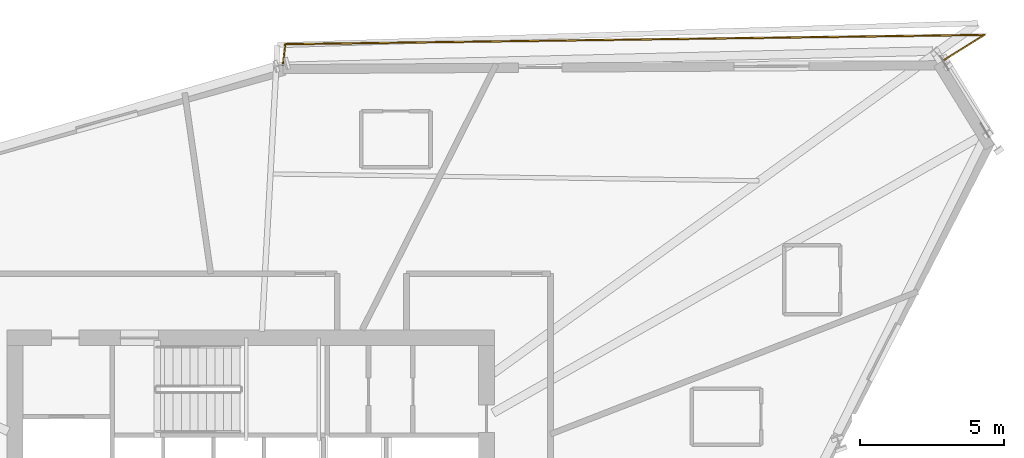
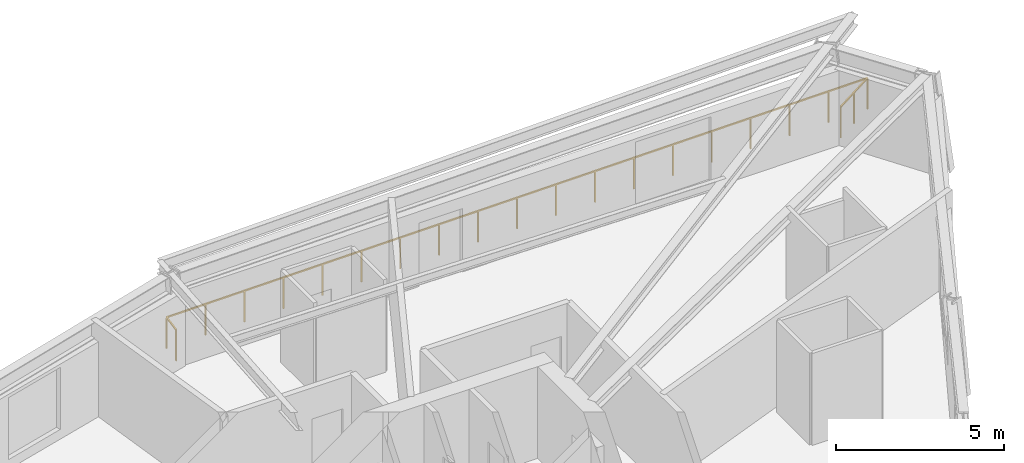
# One storey, part 15 of 15: 1 railing.
"""IFC4 building model written with IfcOpenShell, lengths in metres."""

import ifcopenshell
import ifcopenshell.guid

model = None  # the IFC model being written
_history = None  # IfcOwnerHistory: only IFC2X3 demands one
_inside = {}  # id of a spatial element -> (the spatial element, [elements in it])
_under = {}  # id of a project, library or spatial element -> (it, [spatial elements below it])
_declared = {}  # id of a project -> (the project, [libraries it declares])
_typed = {}  # id of a type object -> (the type object, [elements of that type])
_made_of = {}  # id of a material, layer set ... -> (it, [elements and type objects made of it])


def new_model(schema):
    """Start an empty IFC model of exactly this schema.

    Asked for "IFC4X3", IfcOpenShell would pick the latest addendum, in which some entities
    have other attributes; the version numbers below select the first issue.
    IFC2X3 requires an IfcOwnerHistory on every rooted entity: one is made here for all.
    """
    global model, _history
    if schema == "IFC4X3":
        model = ifcopenshell.file(schema_version=(4, 3, 0, 0))
    else:
        model = ifcopenshell.file(schema=schema)
    _inside.clear()
    _under.clear()
    _declared.clear()
    _typed.clear()
    _made_of.clear()
    _history = None
    if model.schema == "IFC2X3":
        org = make("IfcOrganization", Name="unknown")
        user = make(
            "IfcPersonAndOrganization",
            ThePerson=make("IfcPerson", FamilyName="unknown"),
            TheOrganization=org,
        )
        app = make(
            "IfcApplication",
            ApplicationDeveloper=org,
            Version="unknown",
            ApplicationFullName="unknown",
            ApplicationIdentifier="unknown",
        )
        _history = make(
            "IfcOwnerHistory",
            OwningUser=user,
            OwningApplication=app,
            ChangeAction="ADDED",
            CreationDate=0,
        )
    return model


def make(cls, **values):
    """One entity of the class cls with the attributes given. An attribute that is None is left unset."""
    return model.create_entity(
        cls, **{name: value for name, value in values.items() if value is not None}
    )


def rooted(cls, **values):
    """An entity with a GlobalId (a new one), such as an element, a storey or a relation."""
    return make(cls, GlobalId=ifcopenshell.guid.new(), OwnerHistory=_history, **values)


def si_unit(unit_type, name, prefix=None):
    """IfcSIUnit, for example si_unit("LENGTHUNIT", "METRE", prefix="MILLI")."""
    return make("IfcSIUnit", UnitType=unit_type, Prefix=prefix, Name=name)


def assignment(units):
    """IfcUnitAssignment: the units of a project."""
    return None if units is None else make("IfcUnitAssignment", Units=units)


def point(xyz):
    """IfcCartesianPoint."""
    return None if xyz is None else make("IfcCartesianPoint", Coordinates=xyz)


def direction(xyz):
    """IfcDirection."""
    return None if xyz is None else make("IfcDirection", DirectionRatios=xyz)


def frame(location, z_axis=None, x_axis=None):
    """IfcAxis2Placement3D, a coordinate frame: its origin and axes. An axis left out is left unset."""
    return make(
        "IfcAxis2Placement3D",
        Location=point(location),
        Axis=direction(z_axis),
        RefDirection=direction(x_axis),
    )


def frame_2d(location, x_axis=None):
    """IfcAxis2Placement2D, a coordinate frame in the plane: its origin and x axis."""
    return make(
        "IfcAxis2Placement2D", Location=point(location), RefDirection=direction(x_axis)
    )


def origin():
    """The frame at (0, 0, 0) with its axes left unset."""
    return frame((0.0, 0.0, 0.0))


def origin_2d():
    """The frame at (0, 0) in the plane with its x axis left unset."""
    return frame_2d((0.0, 0.0))


def place(relative_to, where):
    """IfcLocalPlacement: puts the frame where relative to a parent placement (None: the world)."""
    return make(
        "IfcLocalPlacement", PlacementRelTo=relative_to, RelativePlacement=where
    )


def context(
    kind, dimensions, precision=None, world=None, true_north=None, identifier=None
):
    """IfcGeometricRepresentationContext, for example the 3D "Model" context."""
    return make(
        "IfcGeometricRepresentationContext",
        ContextIdentifier=identifier,
        ContextType=kind,
        CoordinateSpaceDimension=dimensions,
        Precision=precision,
        WorldCoordinateSystem=world,
        TrueNorth=true_north,
    )


def subcontext(parent, identifier, kind, view, scale=None):
    """IfcGeometricRepresentationSubContext, for example "Body" below "Model"."""
    return make(
        "IfcGeometricRepresentationSubContext",
        ContextIdentifier=identifier,
        ContextType=kind,
        ParentContext=parent,
        TargetScale=scale,
        TargetView=view,
    )


def project(units=None, contexts=None):
    """IfcProject with its units and contexts."""
    return rooted(
        "IfcProject",
        Name="project",
        RepresentationContexts=contexts,
        UnitsInContext=assignment(units),
    )


def spatial(cls, under=None, at=None, **own):
    """A site, building, storey or space (cls), placed at a placement, below another one or the project."""
    s = rooted(cls, ObjectPlacement=at, **own)
    if under is not None:
        _under.setdefault(under.id(), (under, []))[1].append(s)
    return s


def profile(cls, at=None, kind="AREA", **sizes):
    """A parametric profile (cls). Its sizes go by their IFC names, for example OverallWidth=200.0."""
    return make(cls, ProfileType=kind, Position=at, **sizes)


def rectangle(**sizes):
    """IfcRectangleProfileDef."""
    return profile("IfcRectangleProfileDef", **sizes)


def extrude(swept, where, along, depth):
    """IfcExtrudedAreaSolid: the profile swept, set in the frame where, extruded along a direction by depth."""
    return make(
        "IfcExtrudedAreaSolid",
        SweptArea=swept,
        Position=where,
        ExtrudedDirection=direction(along),
        Depth=depth,
    )


def shape(context_of_items, identifier, shape_type, items):
    """IfcShapeRepresentation: the items that make up one representation, for example the "Body"."""
    return make(
        "IfcShapeRepresentation",
        ContextOfItems=context_of_items,
        RepresentationIdentifier=identifier,
        RepresentationType=shape_type,
        Items=items,
    )


def material(Name=None, Category=None):
    """IfcMaterial."""
    return make("IfcMaterial", Name=Name, Category=Category)


def made_of(thing, what):
    """Note that an element or type object is made of a material, layer set ...; save() writes the relation."""
    if what is not None:
        _made_of.setdefault(what.id(), (what, []))[1].append(thing)
    return thing


def type_object(cls, material=None, **own):
    """A type object (cls), such as IfcWallType, which elements share."""
    return made_of(rooted(cls, **own), material)


def element(
    cls,
    number,
    at=None,
    inside=None,
    cuts=None,
    type_object=None,
    material=None,
    context=None,
    identifier="Body",
    shape_type=None,
    held_by="IfcProductDefinitionShape",
    body=None,
    shapes=None,
    **own,
):
    """One element of the class cls, such as IfcWall. Its Tag is "e" and its number.

    at: its placement. inside: the storey or other place that contains it. cuts: it is an
    opening in that element (IfcRelVoidsElement). A single representation is given by context,
    identifier, shape_type and body (its items); several are given by shapes. held_by: the class
    of the entity that holds the representations. save() writes the other relations.
    """
    e = rooted(cls, Tag="e%d" % number, ObjectPlacement=at, **own)
    if body is not None:
        shapes = [shape(context, identifier, shape_type, body)]
    if shapes is not None:
        e.Representation = make(held_by, Representations=shapes)
    if inside is not None:
        _inside.setdefault(inside.id(), (inside, []))[1].append(e)
    if cuts is not None:
        rooted(
            "IfcRelVoidsElement", RelatingBuildingElement=cuts, RelatedOpeningElement=e
        )
    if type_object is not None:
        _typed.setdefault(type_object.id(), (type_object, []))[1].append(e)
    return made_of(e, material)


def aggregate(whole, parts):
    """IfcRelAggregates: a whole, such as a stair, and the parts it consists of."""
    return rooted("IfcRelAggregates", RelatingObject=whole, RelatedObjects=parts)


def save(model, path):
    """Write the relations noted so far, then the file.

    IfcRelAggregates (storeys below a building ...), IfcRelContainedInSpatialStructure (elements
    in a storey), IfcRelDefinesByType, IfcRelAssociatesMaterial and IfcRelDeclares: one each for
    every whole, place, type object, material and project.
    """
    for whole, parts in _under.values():
        aggregate(whole, parts)
    for where, things in _inside.values():
        rooted(
            "IfcRelContainedInSpatialStructure",
            RelatedElements=things,
            RelatingStructure=where,
        )
    for kind, things in _typed.values():
        rooted("IfcRelDefinesByType", RelatedObjects=things, RelatingType=kind)
    for what, things in _made_of.values():
        rooted("IfcRelAssociatesMaterial", RelatedObjects=things, RelatingMaterial=what)
    for by, libraries in _declared.values():
        rooted("IfcRelDeclares", RelatingContext=by, RelatedDefinitions=libraries)
    model.write(path)


model = new_model("IFC4")

# Units and contexts
model_context = context("Model", 3, precision=1e-05, world=origin(), true_north=direction((0.0, 1.0)))
body_context = subcontext(model_context, "Body", "Model", "MODEL_VIEW")
ifc_project = project(units=[si_unit("LENGTHUNIT", "METRE"), si_unit("AREAUNIT", "SQUARE_METRE"), si_unit("VOLUMEUNIT", "CUBIC_METRE"), si_unit("PLANEANGLEUNIT", "RADIAN"), si_unit("MASSUNIT", "GRAM", prefix="KILO")], contexts=[model_context])

# Site, building, storey
site_placement = place(None, origin())
site = spatial("IfcSite", under=ifc_project, at=site_placement, CompositionType="ELEMENT")
building_placement = place(site_placement, origin())
building = spatial("IfcBuilding", under=site, at=building_placement, Name="Olszyna Solenne Hotel", CompositionType="ELEMENT")
storey_placement = place(building_placement, frame((0.0, 0.0, 164.35009765625)))
storey = spatial("IfcBuildingStorey", under=building, at=storey_placement, Name="L43", CompositionType="ELEMENT", Elevation=164.35009765625)

# Railing
ifc_material = material(Name="Anodised bronze aluminium", Category="aluminium")
railing_type = type_object("IfcRailingType", Name="GR-110", PredefinedType="BALUSTRADE", material=ifc_material)
railing_placement = place(storey_placement, frame((62.010986328125, 43.585693359375, 0.0)))
element("IfcRailing", 1, at=railing_placement, inside=storey, type_object=railing_type, Name="Loggia balcony balustrade guard GR-L43-LG1", PredefinedType="BALUSTRADE", context=body_context, shape_type="SweptSolid", body=[
    extrude(rectangle(XDim=0.048095703125, YDim=0.048095703125, at=origin_2d()), frame((0.0, 0.0, 1.1259765625), z_axis=(0.848767413883, 0.528766372919, 0.0), x_axis=(-0.528766372919, 0.848767413883, 0.0)), (0.0, 0.0, 1.0), 1.692138671875),
    extrude(rectangle(XDim=0.048095703125, YDim=0.048095703125, at=origin_2d()), frame((1.436279296875, 0.894775390625, 1.1259765625), z_axis=(-0.999910906323, -0.01334838629, 0.0), x_axis=(0.01334838629, -0.999910906323, 0.0)), (0.0, 0.0, 1.0), 24.25244140625),
    extrude(rectangle(XDim=0.048095703125, YDim=0.048095703125, at=origin_2d()), frame((-22.81396484375, 0.571044921875, 1.1259765625), z_axis=(-0.110507094774, -0.993875335243, 0.0), x_axis=(0.993875335243, -0.110507094774, 0.0)), (0.0, 0.0, 1.0), 0.709228515625),
    extrude(rectangle(XDim=0.0419921875, YDim=0.0419921875, at=origin_2d()), origin(), (0.0, 0.0, 1.0), 1.101806640625),
    extrude(rectangle(XDim=0.0419921875, YDim=0.0419921875, at=origin_2d()), frame((0.71826171875, 0.447265625, 0.0)), (0.0, 0.0, 1.0), 1.101806640625),
    extrude(rectangle(XDim=0.0419921875, YDim=0.0419921875, at=origin_2d()), frame((1.436279296875, 0.894775390625, 0.0)), (0.0, 0.0, 1.0), 1.101806640625),
    extrude(rectangle(XDim=0.0419921875, YDim=0.0419921875, at=origin_2d()), frame((0.089111328125, 0.876708984375, 0.0)), (0.0, 0.0, 1.0), 1.101806640625),
    extrude(rectangle(XDim=0.0419921875, YDim=0.0419921875, at=origin_2d()), frame((-1.25830078125, 0.85888671875, 0.0)), (0.0, 0.0, 1.0), 1.101806640625),
    extrude(rectangle(XDim=0.0419921875, YDim=0.0419921875, at=origin_2d()), frame((-2.60546875, 0.8408203125, 0.0)), (0.0, 0.0, 1.0), 1.101806640625),
    extrude(rectangle(XDim=0.0419921875, YDim=0.0419921875, at=origin_2d()), frame((-3.95263671875, 0.82275390625, 0.0)), (0.0, 0.0, 1.0), 1.101806640625),
    extrude(rectangle(XDim=0.0419921875, YDim=0.0419921875, at=origin_2d()), frame((-5.2998046875, 0.804931640625, 0.0)), (0.0, 0.0, 1.0), 1.101806640625),
    extrude(rectangle(XDim=0.0419921875, YDim=0.0419921875, at=origin_2d()), frame((-6.647216796875, 0.786865234375, 0.0)), (0.0, 0.0, 1.0), 1.101806640625),
    extrude(rectangle(XDim=0.0419921875, YDim=0.0419921875, at=origin_2d()), frame((-7.994384765625, 0.768798828125, 0.0)), (0.0, 0.0, 1.0), 1.101806640625),
    extrude(rectangle(XDim=0.0419921875, YDim=0.0419921875, at=origin_2d()), frame((-9.341552734375, 0.7509765625, 0.0)), (0.0, 0.0, 1.0), 1.101806640625),
    extrude(rectangle(XDim=0.0419921875, YDim=0.0419921875, at=origin_2d()), frame((-10.68896484375, 0.73291015625, 0.0)), (0.0, 0.0, 1.0), 1.101806640625),
    extrude(rectangle(XDim=0.0419921875, YDim=0.0419921875, at=origin_2d()), frame((-12.0361328125, 0.71484375, 0.0)), (0.0, 0.0, 1.0), 1.101806640625),
    extrude(rectangle(XDim=0.0419921875, YDim=0.0419921875, at=origin_2d()), frame((-13.38330078125, 0.697021484375, 0.0)), (0.0, 0.0, 1.0), 1.101806640625),
    extrude(rectangle(XDim=0.0419921875, YDim=0.0419921875, at=origin_2d()), frame((-14.73046875, 0.678955078125, 0.0)), (0.0, 0.0, 1.0), 1.101806640625),
    extrude(rectangle(XDim=0.0419921875, YDim=0.0419921875, at=origin_2d()), frame((-16.077880859375, 0.660888671875, 0.0)), (0.0, 0.0, 1.0), 1.101806640625),
    extrude(rectangle(XDim=0.0419921875, YDim=0.0419921875, at=origin_2d()), frame((-17.425048828125, 0.64306640625, 0.0)), (0.0, 0.0, 1.0), 1.101806640625),
    extrude(rectangle(XDim=0.0419921875, YDim=0.0419921875, at=origin_2d()), frame((-18.772216796875, 0.625, 0.0)), (0.0, 0.0, 1.0), 1.101806640625),
    extrude(rectangle(XDim=0.0419921875, YDim=0.0419921875, at=origin_2d()), frame((-20.119384765625, 0.60693359375, 0.0)), (0.0, 0.0, 1.0), 1.101806640625),
    extrude(rectangle(XDim=0.0419921875, YDim=0.0419921875, at=origin_2d()), frame((-21.466796875, 0.589111328125, 0.0)), (0.0, 0.0, 1.0), 1.101806640625),
    extrude(rectangle(XDim=0.0419921875, YDim=0.0419921875, at=origin_2d()), frame((-22.81396484375, 0.571044921875, 0.0)), (0.0, 0.0, 1.0), 1.101806640625),
    extrude(rectangle(XDim=0.0419921875, YDim=0.0419921875, at=origin_2d()), frame((-22.892333984375, -0.1337890625, 0.0)), (0.0, 0.0, 1.0), 1.101806640625),
])

save(model, "model.ifc")
